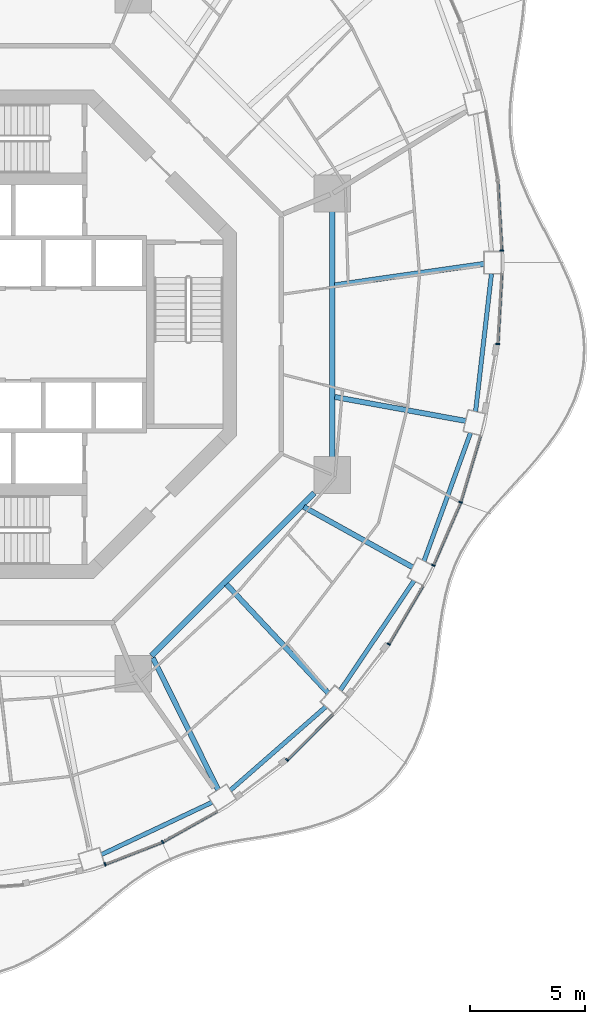
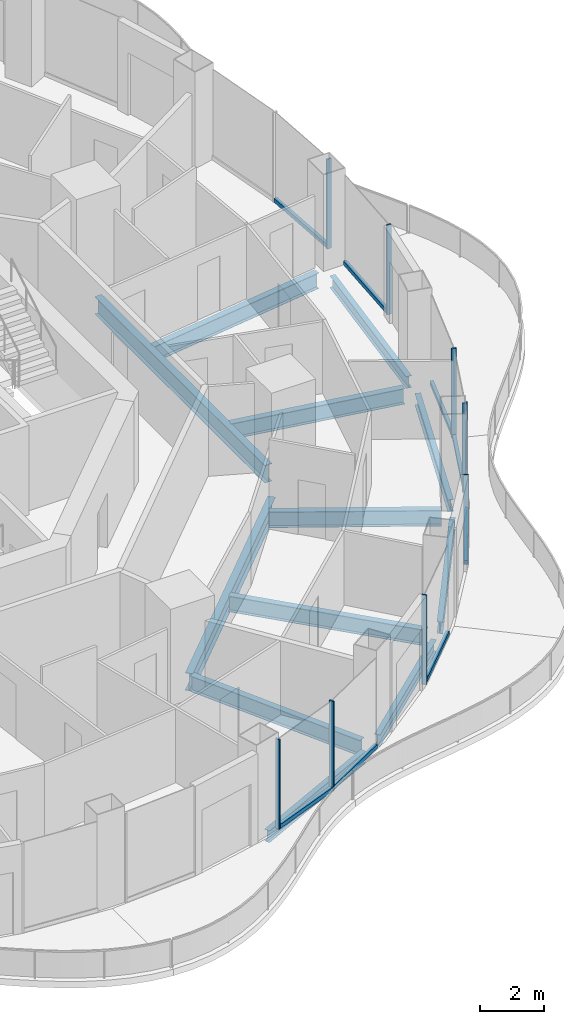
# One storey, part 4 of 18: 16 members, 12 beams, 8 elements without a shape of their own.
"""IFC4 building model written with IfcOpenShell, lengths in metres."""

from ifc_helpers import new_model, si_unit, direction, frame, origin, origin_2d, place, context, subcontext, project, spatial, rectangle, i_section, extrude, material, layer, layer_set, material_profile, profile_set, type_object, element, aggregate, save


model = new_model("IFC4")

# Units and contexts
model_context = context("Model", 3, precision=1e-05, world=origin(), true_north=direction((0.0, 1.0)))
body_context = subcontext(model_context, "Body", "Model", "MODEL_VIEW")
ifc_project = project(units=[si_unit("LENGTHUNIT", "METRE"), si_unit("AREAUNIT", "SQUARE_METRE"), si_unit("VOLUMEUNIT", "CUBIC_METRE"), si_unit("PLANEANGLEUNIT", "RADIAN"), si_unit("MASSUNIT", "GRAM", prefix="KILO")], contexts=[model_context])

# Site, building, storey
site_placement = place(None, origin())
site = spatial("IfcSite", under=ifc_project, at=site_placement, CompositionType="ELEMENT")
building_placement = place(site_placement, origin())
building = spatial("IfcBuilding", under=site, at=building_placement, Name="Nagisa Residences", CompositionType="ELEMENT")
storey_placement = place(building_placement, frame((0.0, 0.0, 245.5)))
storey = spatial("IfcBuildingStorey", under=building, at=storey_placement, Name="L62", CompositionType="ELEMENT", Elevation=245.5)

# Curtain wall, member
ifc_material_1 = material(Name="Concrete-coloured aluminium curtain wall system", Category="concrete")
ifc_layer = layer(ifc_material_1, 0.159912109375)
ifc_layer_set = layer_set([ifc_layer], Name="CW1 CURTAIN WALL")
curtain_wall_type = type_object("IfcCurtainWallType", Name="CW1 CURTAIN WALL", PredefinedType="NOTDEFINED", material=ifc_layer_set)
curtain_wall_1_placement = place(storey_placement, origin())
curtain_wall_1 = element("IfcCurtainWall", 1, at=curtain_wall_1_placement, inside=storey, type_object=curtain_wall_type, Name="cw:CW1:L62:00", PredefinedType="NOTDEFINED")
ifc_material_2 = material(Name="Concrete-coloured aluminium", Category="concrete")
ifc_material_profile_1 = material_profile(ifc_material_2, rectangle(XDim=0.159912109375, YDim=0.06005859375, at=origin_2d()), Name="CW1 MULLION 160x60")
ifc_profile_set_1 = profile_set([ifc_material_profile_1], Name="Concrete-coloured aluminium")
member_type_1 = type_object("IfcMemberType", Name="CW1 MULLION 160x60", PredefinedType="MULLION", material=ifc_profile_set_1)
member_1_placement = place(storey_placement, frame((22.15966796875, 3.642333984375, 0.0), z_axis=(0.0, 0.0, 1.0), x_axis=(-0.998345305184, -0.057503492216, 0.0)))
member_1 = element("IfcMember", 2, at=member_1_placement, type_object=member_type_1, Name="CW1 mullion", PredefinedType="MULLION", context=body_context, shape_type="SweptSolid", body=[
    extrude(rectangle(XDim=0.159912109375, YDim=0.06005859375, at=origin_2d()), origin(), (0.0, 0.0, 1.0), 3.43994140625),
])

curtain_wall_2_placement = place(storey_placement, origin())
curtain_wall_2 = element("IfcCurtainWall", 3, at=curtain_wall_2_placement, inside=storey, type_object=curtain_wall_type, Name="cw:CW1:L62:38", PredefinedType="NOTDEFINED")
member_2_placement = place(storey_placement, frame((4.895263671875, -23.073486328125, 0.0), z_axis=(0.0, 0.0, 1.0), x_axis=(-0.360327770268, 0.932825759707, 0.0)))
member_2 = element("IfcMember", 4, at=member_2_placement, type_object=member_type_1, Name="CW1 mullion", PredefinedType="MULLION", context=body_context, shape_type="SweptSolid", body=[
    extrude(rectangle(XDim=0.159912109375, YDim=0.06005859375, at=origin_2d()), origin(), (0.0, 0.0, 1.0), 3.43994140625),
])

curtain_wall_3_placement = place(storey_placement, origin())
curtain_wall_3 = element("IfcCurtainWall", 5, at=curtain_wall_3_placement, inside=storey, type_object=curtain_wall_type, Name="cw:CW1:L62:39", PredefinedType="NOTDEFINED")
member_3_placement = place(storey_placement, frame((7.398193359375, -22.10302734375, 0.0), z_axis=(0.0, 0.0, 1.0), x_axis=(-0.489376918501, 0.872072377523, 0.0)))
member_3 = element("IfcMember", 6, at=member_3_placement, type_object=member_type_1, Name="CW1 mullion", PredefinedType="MULLION", context=body_context, shape_type="SweptSolid", body=[
    extrude(rectangle(XDim=0.159912109375, YDim=0.06005859375, at=origin_2d()), origin(), (0.0, 0.0, 1.0), 3.43994140625),
])

curtain_wall_4_placement = place(storey_placement, origin())
curtain_wall_4 = element("IfcCurtainWall", 7, at=curtain_wall_4_placement, inside=storey, type_object=curtain_wall_type, Name="cw:CW1:L62:41", PredefinedType="NOTDEFINED")
member_4_placement = place(storey_placement, frame((12.817626953125, -18.534423828125, 0.0), z_axis=(0.0, 0.0, 1.0), x_axis=(-0.706376885714, 0.707835924016, 0.0)))
member_4 = element("IfcMember", 8, at=member_4_placement, type_object=member_type_1, Name="CW1 mullion", PredefinedType="MULLION", context=body_context, shape_type="SweptSolid", body=[
    extrude(rectangle(XDim=0.159912109375, YDim=0.06005859375, at=origin_2d()), origin(), (0.0, 0.0, 1.0), 3.43994140625),
])

curtain_wall_5_placement = place(storey_placement, origin())
curtain_wall_5 = element("IfcCurtainWall", 9, at=curtain_wall_5_placement, inside=storey, type_object=curtain_wall_type, Name="cw:CW1:L62:43", PredefinedType="NOTDEFINED")
member_5_placement = place(storey_placement, frame((17.2421875, -13.489990234375, 0.0), z_axis=(0.0, 0.0, 1.0), x_axis=(-0.862328898214, 0.506348567002, 0.0)))
member_5 = element("IfcMember", 10, at=member_5_placement, type_object=member_type_1, Name="CW1 mullion", PredefinedType="MULLION", context=body_context, shape_type="SweptSolid", body=[
    extrude(rectangle(XDim=0.159912109375, YDim=0.06005859375, at=origin_2d()), origin(), (0.0, 0.0, 1.0), 3.43994140625),
])

curtain_wall_6_placement = place(storey_placement, origin())
curtain_wall_6 = element("IfcCurtainWall", 11, at=curtain_wall_6_placement, inside=storey, type_object=curtain_wall_type, Name="cw:CW1:L62:44", PredefinedType="NOTDEFINED")
member_6_placement = place(storey_placement, frame((19.1826171875, -10.05908203125, 0.0), z_axis=(0.0, 0.0, 1.0), x_axis=(-0.917543276295, 0.397635934147, 0.0)))
member_6 = element("IfcMember", 12, at=member_6_placement, type_object=member_type_1, Name="CW1 mullion", PredefinedType="MULLION", context=body_context, shape_type="SweptSolid", body=[
    extrude(rectangle(XDim=0.159912109375, YDim=0.06005859375, at=origin_2d()), origin(), (0.0, 0.0, 1.0), 3.43994140625),
])

curtain_wall_7_placement = place(storey_placement, origin())
curtain_wall_7 = element("IfcCurtainWall", 13, at=curtain_wall_7_placement, inside=storey, type_object=curtain_wall_type, Name="cw:CW1:L62:45", PredefinedType="NOTDEFINED")
member_7_placement = place(storey_placement, frame((20.36962890625, -7.3125, 0.0), z_axis=(0.0, 0.0, 1.0), x_axis=(-0.958271310082, 0.285860274038, 0.0)))
member_7 = element("IfcMember", 14, at=member_7_placement, type_object=member_type_1, Name="CW1 mullion", PredefinedType="MULLION", context=body_context, shape_type="SweptSolid", body=[
    extrude(rectangle(XDim=0.159912109375, YDim=0.06005859375, at=origin_2d()), origin(), (0.0, 0.0, 1.0), 3.43994140625),
])

curtain_wall_8_placement = place(storey_placement, origin())
curtain_wall_8 = element("IfcCurtainWall", 15, at=curtain_wall_8_placement, inside=storey, type_object=curtain_wall_type, Name="cw:CW1:L62:47", PredefinedType="NOTDEFINED")
member_8_placement = place(storey_placement, frame((21.98583984375, -0.4228515625, 0.0), z_axis=(0.0, 0.0, 1.0), x_axis=(-0.998345305184, 0.057503492216, 0.0)))
member_8 = element("IfcMember", 16, at=member_8_placement, type_object=member_type_1, Name="CW1 mullion", PredefinedType="MULLION", context=body_context, shape_type="SweptSolid", body=[
    extrude(rectangle(XDim=0.159912109375, YDim=0.06005859375, at=origin_2d()), origin(), (0.0, 0.0, 1.0), 3.43994140625),
])

# Member
ifc_material_3 = material(Name="Concrete-coloured aluminium", Category="concrete")
ifc_material_profile_2 = material_profile(ifc_material_3, rectangle(XDim=0.1201171875, YDim=0.14990234375, at=origin_2d()), Name="CW1 TRANSOM 120x150")
ifc_profile_set_2 = profile_set([ifc_material_profile_2], Name="Concrete-coloured aluminium")
member_type_2 = type_object("IfcMemberType", Name="CW1 TRANSOM 120x150", PredefinedType="USERDEFINED", material=ifc_profile_set_2)
member_9_placement = place(storey_placement, frame((22.161376953125, 3.6123046875, 0.074951171875), z_axis=(-0.057528189427, 0.998343882348, 0.0), x_axis=(-0.998343882348, -0.057528189427, 0.0)))
member_9 = element("IfcMember", 17, at=member_9_placement, type_object=member_type_2, Name="CW1 transom", ObjectType="TRANSOM", PredefinedType="USERDEFINED", context=body_context, shape_type="SweptSolid", body=[
    extrude(rectangle(XDim=0.1201171875, YDim=0.14990234375, at=origin_2d()), origin(), (0.0, 0.0, 1.0), 3.0810546875),
])

aggregate(curtain_wall_1, [member_1, member_9])

member_10_placement = place(storey_placement, frame((4.867431640625, -23.084228515625, 0.074951171875), z_axis=(0.932826499224, 0.360325855782, 0.0), x_axis=(-0.360325855782, 0.932826499224, 0.0)))
member_10 = element("IfcMember", 18, at=member_10_placement, type_object=member_type_2, Name="CW1 transom", ObjectType="TRANSOM", PredefinedType="USERDEFINED", context=body_context, shape_type="SweptSolid", body=[
    extrude(rectangle(XDim=0.1201171875, YDim=0.14990234375, at=origin_2d()), origin(), (0.0, 0.0, 1.0), 2.696044921875),
])

aggregate(curtain_wall_2, [member_2, member_10])

member_11_placement = place(storey_placement, frame((7.3720703125, -22.11767578125, 0.074951171875), z_axis=(0.872041873719, 0.489431272479, 0.0), x_axis=(-0.489431272479, 0.872041873719, 0.0)))
member_11 = element("IfcMember", 19, at=member_11_placement, type_object=member_type_2, Name="CW1 transom", ObjectType="TRANSOM", PredefinedType="USERDEFINED", context=body_context, shape_type="SweptSolid", body=[
    extrude(rectangle(XDim=0.1201171875, YDim=0.14990234375, at=origin_2d()), origin(), (0.0, 0.0, 1.0), 2.738037109375),
])

aggregate(curtain_wall_3, [member_3, member_11])

member_12_placement = place(storey_placement, frame((12.79638671875, -18.5556640625, 0.074951171875), z_axis=(0.707836044127, 0.706376765356, 0.0), x_axis=(-0.706376765356, 0.707836044127, 0.0)))
member_12 = element("IfcMember", 20, at=member_12_placement, type_object=member_type_2, Name="CW1 transom", ObjectType="TRANSOM", PredefinedType="USERDEFINED", context=body_context, shape_type="SweptSolid", body=[
    extrude(rectangle(XDim=0.1201171875, YDim=0.14990234375, at=origin_2d()), origin(), (0.0, 0.0, 1.0), 2.84423828125),
])

aggregate(curtain_wall_4, [member_4, member_12])

member_13_placement = place(storey_placement, frame((17.22705078125, -13.515869140625, 0.074951171875), z_axis=(0.5063555387, 0.862324804484, 0.0), x_axis=(-0.862324804484, 0.5063555387, 0.0)))
member_13 = element("IfcMember", 21, at=member_13_placement, type_object=member_type_2, Name="CW1 transom", ObjectType="TRANSOM", PredefinedType="USERDEFINED", context=body_context, shape_type="SweptSolid", body=[
    extrude(rectangle(XDim=0.1201171875, YDim=0.14990234375, at=origin_2d()), origin(), (0.0, 0.0, 1.0), 2.95458984375),
])

aggregate(curtain_wall_5, [member_5, member_13])

member_14_placement = place(storey_placement, frame((19.170654296875, -10.086669921875, 0.074951171875), z_axis=(0.397616567135, 0.917551669139, 0.0), x_axis=(-0.917551669139, 0.397616567135, 0.0)))
member_14 = element("IfcMember", 22, at=member_14_placement, type_object=member_type_2, Name="CW1 transom", ObjectType="TRANSOM", PredefinedType="USERDEFINED", context=body_context, shape_type="SweptSolid", body=[
    extrude(rectangle(XDim=0.1201171875, YDim=0.14990234375, at=origin_2d()), origin(), (0.0, 0.0, 1.0), 3.001953125),
])

aggregate(curtain_wall_6, [member_6, member_14])

member_15_placement = place(storey_placement, frame((20.361083984375, -7.341064453125, 0.074951171875), z_axis=(0.285881452443, 0.958264992134, 0.0), x_axis=(-0.958264992134, 0.285881452443, 0.0)))
member_15 = element("IfcMember", 23, at=member_15_placement, type_object=member_type_2, Name="CW1 transom", ObjectType="TRANSOM", PredefinedType="USERDEFINED", context=body_context, shape_type="SweptSolid", body=[
    extrude(rectangle(XDim=0.1201171875, YDim=0.14990234375, at=origin_2d()), origin(), (0.0, 0.0, 1.0), 3.040283203125),
])

aggregate(curtain_wall_7, [member_7, member_15])

member_16_placement = place(storey_placement, frame((21.984130859375, -0.452880859375, 0.074951171875), z_axis=(0.057528189427, 0.998343882348, 0.0), x_axis=(-0.998343882348, 0.057528189427, 0.0)))
member_16 = element("IfcMember", 24, at=member_16_placement, type_object=member_type_2, Name="CW1 transom", ObjectType="TRANSOM", PredefinedType="USERDEFINED", context=body_context, shape_type="SweptSolid", body=[
    extrude(rectangle(XDim=0.1201171875, YDim=0.14990234375, at=origin_2d()), origin(), (0.0, 0.0, 1.0), 3.0810546875),
])

aggregate(curtain_wall_8, [member_8, member_16])

# Beams
ifc_material_4 = material(Name="Steel ASTM A572 Gr 50", Category="steel")
ifc_material_profile_3 = material_profile(ifc_material_4, i_section(OverallWidth=0.2529296875, OverallDepth=0.677978515625, WebThickness=0.01171875, FlangeThickness=0.016357421875, at=origin_2d()), Name="W690x125")
ifc_profile_set_3 = profile_set([ifc_material_profile_3], Name="Steel ASTM A572 Gr 50")
beam_type_1 = type_object("IfcBeamType", Name="Inner ring beam W690x125", PredefinedType="BEAM", material=ifc_profile_set_3)
beam_1_placement = place(storey_placement, frame((6.90869140625, -13.99609375, -0.59912109375), z_axis=(0.707106781187, 0.707106781187, 0.0), x_axis=(-0.707106781187, 0.707106781187, 0.0)))
element("IfcBeam", 25, at=beam_1_placement, inside=storey, type_object=beam_type_1, Name="beam:L62:ib7", PredefinedType="BEAM", context=body_context, shape_type="SweptSolid", body=[
    extrude(i_section(OverallWidth=0.2529296875, OverallDepth=0.677978515625, WebThickness=0.01171875, FlangeThickness=0.016357421875, at=origin_2d()), origin(), (0.0, 0.0, 1.0), 10.023193359375),
])
beam_2_placement = place(storey_placement, frame((14.781982421875, -5.343017578125, -0.59912109375), z_axis=(0.0, 1.0, 0.0), x_axis=(-1.0, 0.0, 0.0)))
element("IfcBeam", 26, at=beam_2_placement, inside=storey, type_object=beam_type_1, Name="beam:L62:ib8", PredefinedType="BEAM", context=body_context, shape_type="SweptSolid", body=[
    extrude(i_section(OverallWidth=0.2529296875, OverallDepth=0.677978515625, WebThickness=0.01171875, FlangeThickness=0.016357421875, at=origin_2d()), origin(), (0.0, 0.0, 1.0), 10.68603515625),
])
ifc_material_5 = material(Name="Steel ASTM A572 Gr 50", Category="steel")
ifc_material_profile_4 = material_profile(ifc_material_5, i_section(OverallWidth=0.18994140625, OverallDepth=0.45703125, WebThickness=0.009033203125, FlangeThickness=0.014404296875, at=origin_2d()), Name="W460x74")
ifc_profile_set_4 = profile_set([ifc_material_profile_4], Name="Steel ASTM A572 Gr 50")
beam_type_2 = type_object("IfcBeamType", Name="Perimeter ring beam W460x74", PredefinedType="BEAM", material=ifc_profile_set_4)
beam_3_placement = place(storey_placement, frame((4.7392578125, -22.648681640625, -0.488525390625), z_axis=(0.904133867308, 0.42724928319, 0.0), x_axis=(-0.42724928319, 0.904133867308, 0.0)))
element("IfcBeam", 27, at=beam_3_placement, inside=storey, type_object=beam_type_2, Name="beam:L62:pb20", PredefinedType="BEAM", context=body_context, shape_type="SweptSolid", body=[
    extrude(i_section(OverallWidth=0.18994140625, OverallDepth=0.45703125, WebThickness=0.009033203125, FlangeThickness=0.014404296875, at=origin_2d()), origin(), (0.0, 0.0, 1.0), 5.317138671875),
])
beam_4_placement = place(storey_placement, frame((10.349853515625, -19.850341796875, -0.488525390625), z_axis=(0.75242320672, 0.65867998147, 0.0), x_axis=(-0.65867998147, 0.75242320672, 0.0)))
element("IfcBeam", 28, at=beam_4_placement, inside=storey, type_object=beam_type_2, Name="beam:L62:pb21", PredefinedType="BEAM", context=body_context, shape_type="SweptSolid", body=[
    extrude(i_section(OverallWidth=0.18994140625, OverallDepth=0.45703125, WebThickness=0.009033203125, FlangeThickness=0.014404296875, at=origin_2d()), origin(), (0.0, 0.0, 1.0), 5.5185546875),
])
beam_5_placement = place(storey_placement, frame((15.13671875, -15.49462890625, -0.488525390625), z_axis=(0.558109119402, 0.829767564345, 0.0), x_axis=(-0.829767564345, 0.558109119402, 0.0)))
element("IfcBeam", 29, at=beam_5_placement, inside=storey, type_object=beam_type_2, Name="beam:L62:pb22", PredefinedType="BEAM", context=body_context, shape_type="SweptSolid", body=[
    extrude(i_section(OverallWidth=0.18994140625, OverallDepth=0.45703125, WebThickness=0.009033203125, FlangeThickness=0.014404296875, at=origin_2d()), origin(), (0.0, 0.0, 1.0), 5.74365234375),
])
beam_6_placement = place(storey_placement, frame((18.77734375, -9.87255859375, -0.488525390625), z_axis=(0.341290329164, 0.939957930558, 0.0), x_axis=(-0.939957930558, 0.341290329164, 0.0)))
element("IfcBeam", 30, at=beam_6_placement, inside=storey, type_object=beam_type_2, Name="beam:L62:pb23", PredefinedType="BEAM", context=body_context, shape_type="SweptSolid", body=[
    extrude(i_section(OverallWidth=0.18994140625, OverallDepth=0.45703125, WebThickness=0.009033203125, FlangeThickness=0.014404296875, at=origin_2d()), origin(), (0.0, 0.0, 1.0), 5.932373046875),
])
beam_7_placement = place(storey_placement, frame((21.022216796875, -3.36181640625, -0.488525390625), z_axis=(0.114650193512, 0.993405925656, 0.0), x_axis=(-0.993405925656, 0.114650193512, 0.0)))
element("IfcBeam", 31, at=beam_7_placement, inside=storey, type_object=beam_type_2, Name="beam:L62:pb24", PredefinedType="BEAM", context=body_context, shape_type="SweptSolid", body=[
    extrude(i_section(OverallWidth=0.18994140625, OverallDepth=0.45703125, WebThickness=0.009033203125, FlangeThickness=0.014404296875, at=origin_2d()), origin(), (0.0, 0.0, 1.0), 6.0390625),
])
ifc_material_6 = material(Name="Steel ASTM A572 Gr 50", Category="steel")
ifc_material_profile_5 = material_profile(ifc_material_6, i_section(OverallWidth=0.22802734375, OverallDepth=0.60302734375, WebThickness=0.010498046875, FlangeThickness=0.014892578125, at=origin_2d()), Name="W610x101")
ifc_profile_set_5 = profile_set([ifc_material_profile_5], Name="Steel ASTM A572 Gr 50")
beam_type_3 = type_object("IfcBeamType", Name="Radial beam W610x101", PredefinedType="BEAM", material=ifc_profile_set_5)
beam_8_placement = place(storey_placement, frame((21.389892578125, 3.063232421875, -0.5615234375), z_axis=(-0.989903345459, -0.141744018034, 0.0), x_axis=(0.141744018034, -0.989903345459, 0.0)))
element("IfcBeam", 32, at=beam_8_placement, inside=storey, type_object=beam_type_3, Name="beam:L62:rb01", PredefinedType="BEAM", context=body_context, shape_type="SweptSolid", body=[
    extrude(i_section(OverallWidth=0.22802734375, OverallDepth=0.60302734375, WebThickness=0.010498046875, FlangeThickness=0.014892578125, at=origin_2d()), origin(), (0.0, 0.0, 1.0), 6.567626953125),
])
beam_9_placement = place(storey_placement, frame((9.815185546875, -19.826416015625, -0.5615234375), z_axis=(-0.443658666969, 0.896195842003, 0.0), x_axis=(-0.896195842003, -0.443658666969, 0.0)))
element("IfcBeam", 33, at=beam_9_placement, inside=storey, type_object=beam_type_3, Name="beam:L62:rb21", PredefinedType="BEAM", context=body_context, shape_type="SweptSolid", body=[
    extrude(i_section(OverallWidth=0.22802734375, OverallDepth=0.60302734375, WebThickness=0.010498046875, FlangeThickness=0.014892578125, at=origin_2d()), origin(), (0.0, 0.0, 1.0), 6.406982421875),
])
beam_10_placement = place(storey_placement, frame((14.605712890625, -15.617431640625, -0.5615234375), z_axis=(-0.683072943543, 0.730350158349, 0.0), x_axis=(-0.730350158349, -0.683072943543, 0.0)))
element("IfcBeam", 34, at=beam_10_placement, inside=storey, type_object=beam_type_3, Name="beam:L62:rb22", PredefinedType="BEAM", context=body_context, shape_type="SweptSolid", body=[
    extrude(i_section(OverallWidth=0.22802734375, OverallDepth=0.60302734375, WebThickness=0.010498046875, FlangeThickness=0.014892578125, at=origin_2d()), origin(), (0.0, 0.0, 1.0), 6.486083984375),
])
beam_11_placement = place(storey_placement, frame((18.27978515625, -10.142822265625, -0.5615234375), z_axis=(-0.874405859214, 0.485195211614, 0.0), x_axis=(-0.485195211614, -0.874405859214, 0.0)))
element("IfcBeam", 35, at=beam_11_placement, inside=storey, type_object=beam_type_3, Name="beam:L62:rb23", PredefinedType="BEAM", context=body_context, shape_type="SweptSolid", body=[
    extrude(i_section(OverallWidth=0.22802734375, OverallDepth=0.60302734375, WebThickness=0.010498046875, FlangeThickness=0.014892578125, at=origin_2d()), origin(), (0.0, 0.0, 1.0), 5.417724609375),
])
beam_12_placement = place(storey_placement, frame((20.592529296875, -3.7734375, -0.5615234375), z_axis=(-0.983621738755, 0.180245041675, 0.0), x_axis=(-0.180245041675, -0.983621738755, 0.0)))
element("IfcBeam", 36, at=beam_12_placement, inside=storey, type_object=beam_type_3, Name="beam:L62:rb24", PredefinedType="BEAM", context=body_context, shape_type="SweptSolid", body=[
    extrude(i_section(OverallWidth=0.22802734375, OverallDepth=0.60302734375, WebThickness=0.010498046875, FlangeThickness=0.014892578125, at=origin_2d()), origin(), (0.0, 0.0, 1.0), 5.798583984375),
])

save(model, "model.ifc")
